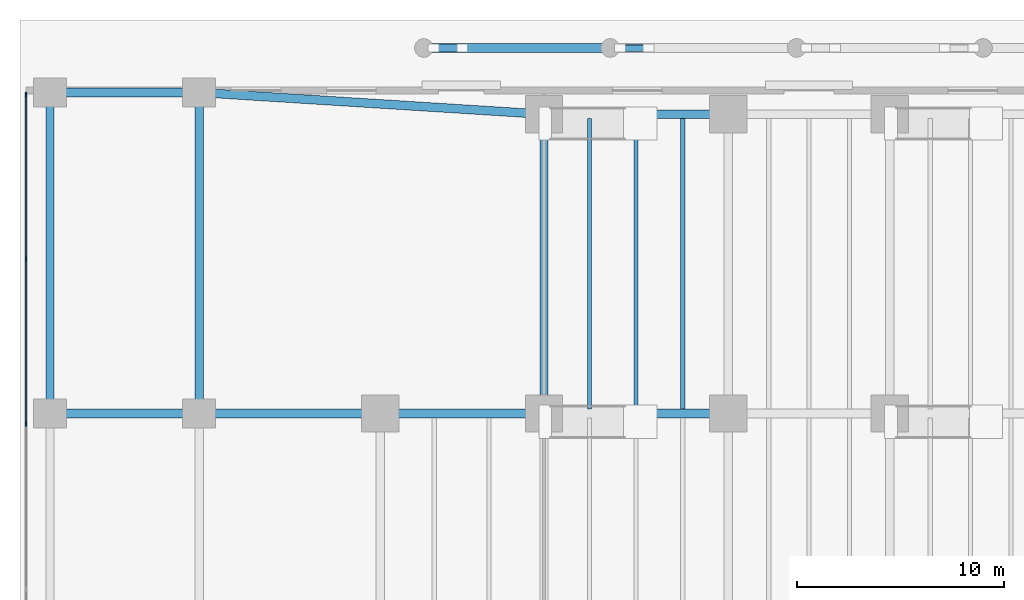
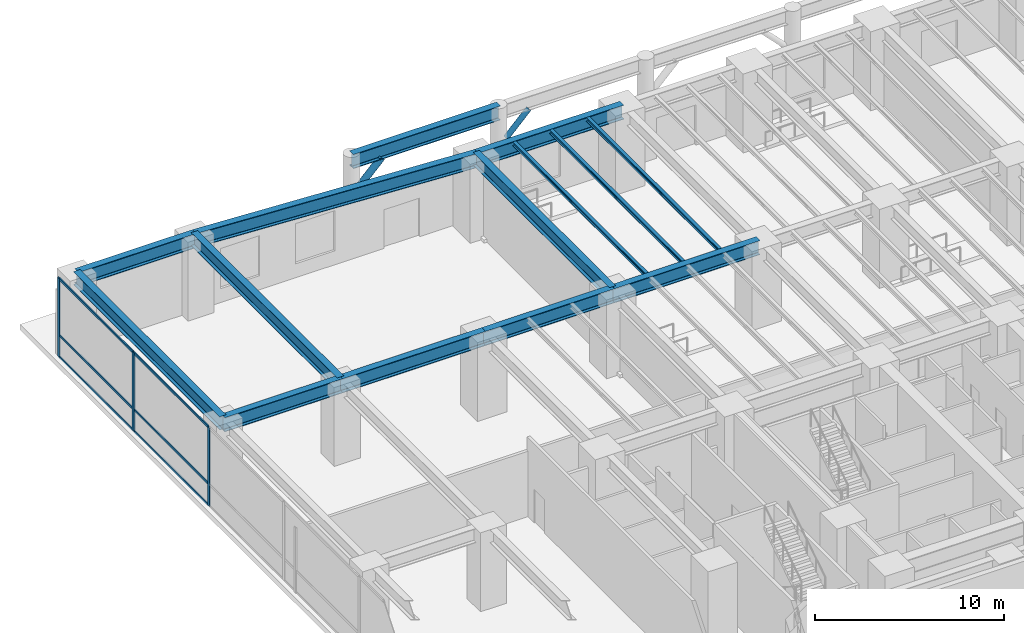
# One storey, part 4 of 19: 14 beams, 11 members, 1 element without a shape of its own.
"""IFC4 building model written with IfcOpenShell, lengths in metres."""

from ifc_helpers import new_model, si_unit, direction, frame, origin, origin_2d, place, context, subcontext, project, spatial, rectangle, hollow_circle, i_section, extrude, material, layer, layer_set, material_profile, profile_set, type_object, element, aggregate, save


model = new_model("IFC4")

# Units and contexts
model_context = context("Model", 3, precision=1e-05, world=origin(), true_north=direction((0.0, 1.0)))
body_context = subcontext(model_context, "Body", "Model", "MODEL_VIEW")
ifc_project = project(units=[si_unit("LENGTHUNIT", "METRE"), si_unit("AREAUNIT", "SQUARE_METRE"), si_unit("VOLUMEUNIT", "CUBIC_METRE"), si_unit("PLANEANGLEUNIT", "RADIAN"), si_unit("MASSUNIT", "GRAM", prefix="KILO")], contexts=[model_context])

# Site, building, storey
site_placement = place(None, origin())
site = spatial("IfcSite", under=ifc_project, at=site_placement, CompositionType="ELEMENT")
building_placement = place(site_placement, origin())
building = spatial("IfcBuilding", under=site, at=building_placement, Name="Qalmaran Belvedere Hotel", CompositionType="ELEMENT")
storey_placement = place(building_placement, origin())
storey = spatial("IfcBuildingStorey", under=building, at=storey_placement, Name="L00", CompositionType="ELEMENT", Elevation=0.0)

# Beams
ifc_material_1 = material(Name="Steel S355JR", Category="steel")
ifc_material_profile_1 = material_profile(ifc_material_1, i_section(OverallWidth=0.201904296875, OverallDepth=0.2470703125, WebThickness=0.00732421875, FlangeThickness=0.010986328125, FilletRadius=0.011962890625, at=origin_2d()), Name="W250X49")
ifc_profile_set_1 = profile_set([ifc_material_profile_1], Name="Steel S355JR")
beam_type_1 = type_object("IfcBeamType", Name="BM-JST-W250X49", PredefinedType="JOIST", material=ifc_profile_set_1)
for number, where, z_axis, x_axis, name in (
    (1, (22.5, 33.2080078125, 4.9765625), (0.0, 1.0, 0.0), (-1.0, 0.0, 0.0), "L00 Podium North-Ballroom Joist 080"),
    (2, (24.75, 33.2080078125, 4.9765625), (0.0, 1.0, 0.0), (-1.0, 0.0, 0.0), "L00 Podium North-Ballroom Joist 082"),
    (3, (27.0, 33.2080078125, 4.9765625), (0.0, 1.0, 0.0), (-1.0, 0.0, 0.0), "L00 Podium North-Ballroom Joist 084"),
):
    element("IfcBeam", number, at=place(storey_placement, frame(where, z_axis=z_axis, x_axis=x_axis)), inside=storey, type_object=beam_type_1, Name=name, PredefinedType="JOIST", context=body_context, shape_type="SweptSolid", body=[
        extrude(i_section(OverallWidth=0.201904296875, OverallDepth=0.2470703125, WebThickness=0.00732421875, FlangeThickness=0.010986328125, FilletRadius=0.011962890625, at=origin_2d()), origin(), (0.0, 0.0, 1.0), 14.033935546875),
    ])
ifc_material_profile_2 = material_profile(ifc_material_1, i_section(OverallWidth=0.419921875, OverallDepth=0.9208984375, WebThickness=0.021240234375, FlangeThickness=0.03662109375, FilletRadius=0.02392578125, at=origin_2d()), Name="W920X387")
ifc_profile_set_2 = profile_set([ifc_material_profile_2], Name="Steel S355JR")
beam_type_2 = type_object("IfcBeamType", Name="BM-PG1-W920X387", PredefinedType="USERDEFINED", material=ifc_profile_set_2)
beam_1_placement = place(storey_placement, frame((-3.550048828125, 33.0, 4.639404296875), z_axis=(1.0, 0.0, 0.0), x_axis=(0.0, 1.0, 0.0)))
element("IfcBeam", 4, at=beam_1_placement, inside=storey, type_object=beam_type_2, Name="L00 Podium Primary Girder GX22", ObjectType="GIRDER", PredefinedType="USERDEFINED", context=body_context, shape_type="SweptSolid", body=[
    extrude(i_section(OverallWidth=0.419921875, OverallDepth=0.9208984375, WebThickness=0.021240234375, FlangeThickness=0.03662109375, FilletRadius=0.02392578125, at=origin_2d()), origin(), (0.0, 0.0, 1.0), 7.199951171875),
])
beam_2_placement = place(storey_placement, frame((3.64990234375, 33.0, 4.639404296875), z_axis=(1.0, 0.0, 0.0), x_axis=(0.0, 1.0, 0.0)))
element("IfcBeam", 5, at=beam_2_placement, inside=storey, type_object=beam_type_2, Name="L00 Podium Primary Girder GX23", ObjectType="GIRDER", PredefinedType="USERDEFINED", context=body_context, shape_type="SweptSolid", body=[
    extrude(i_section(OverallWidth=0.419921875, OverallDepth=0.9208984375, WebThickness=0.021240234375, FlangeThickness=0.03662109375, FilletRadius=0.02392578125, at=origin_2d()), origin(), (0.0, 0.0, 1.0), 8.75),
])
beam_3_placement = place(storey_placement, frame((12.39990234375, 33.0, 4.639404296875), z_axis=(1.0, 0.0, 0.0), x_axis=(0.0, 1.0, 0.0)))
element("IfcBeam", 6, at=beam_3_placement, inside=storey, type_object=beam_type_2, Name="L00 Podium Primary Girder GX24", ObjectType="GIRDER", PredefinedType="USERDEFINED", context=body_context, shape_type="SweptSolid", body=[
    extrude(i_section(OverallWidth=0.419921875, OverallDepth=0.9208984375, WebThickness=0.021240234375, FlangeThickness=0.03662109375, FilletRadius=0.02392578125, at=origin_2d()), origin(), (0.0, 0.0, 1.0), 7.900146484375),
])
beam_4_placement = place(storey_placement, frame((20.300048828125, 33.0, 4.639404296875), z_axis=(1.0, 0.0, 0.0), x_axis=(0.0, 1.0, 0.0)))
element("IfcBeam", 7, at=beam_4_placement, inside=storey, type_object=beam_type_2, Name="L00 Podium Primary Girder GX25", ObjectType="GIRDER", PredefinedType="USERDEFINED", context=body_context, shape_type="SweptSolid", body=[
    extrude(i_section(OverallWidth=0.419921875, OverallDepth=0.9208984375, WebThickness=0.021240234375, FlangeThickness=0.03662109375, FilletRadius=0.02392578125, at=origin_2d()), origin(), (0.0, 0.0, 1.0), 8.89990234375),
])
beam_5_placement = place(storey_placement, frame((-3.550048828125, 48.5, 4.639404296875), z_axis=(1.0, 0.0, 0.0), x_axis=(0.0, 1.0, 0.0)))
element("IfcBeam", 8, at=beam_5_placement, inside=storey, type_object=beam_type_2, Name="L00 Podium Primary Girder GX32", ObjectType="GIRDER", PredefinedType="USERDEFINED", context=body_context, shape_type="SweptSolid", body=[
    extrude(i_section(OverallWidth=0.419921875, OverallDepth=0.9208984375, WebThickness=0.021240234375, FlangeThickness=0.03662109375, FilletRadius=0.02392578125, at=origin_2d()), origin(), (0.0, 0.0, 1.0), 7.199951171875),
])
beam_6_placement = place(storey_placement, frame((3.64990234375, 48.5, 4.639404296875), z_axis=(0.998017287437, -0.0629404002, 0.0), x_axis=(0.0629404002, 0.998017287437, 0.0)))
element("IfcBeam", 9, at=beam_6_placement, inside=storey, type_object=beam_type_2, Name="L00 Podium Primary Girder GX33", ObjectType="GIRDER", PredefinedType="USERDEFINED", context=body_context, shape_type="SweptSolid", body=[
    extrude(i_section(OverallWidth=0.419921875, OverallDepth=0.9208984375, WebThickness=0.021240234375, FlangeThickness=0.03662109375, FilletRadius=0.02392578125, at=origin_2d()), origin(), (0.0, 0.0, 1.0), 16.68310546875),
])
beam_7_placement = place(storey_placement, frame((20.300048828125, 47.449951171875, 4.639404296875), z_axis=(1.0, 0.0, 0.0), x_axis=(0.0, 1.0, 0.0)))
element("IfcBeam", 10, at=beam_7_placement, inside=storey, type_object=beam_type_2, Name="L00 Podium Primary Girder GX34", ObjectType="GIRDER", PredefinedType="USERDEFINED", context=body_context, shape_type="SweptSolid", body=[
    extrude(i_section(OverallWidth=0.419921875, OverallDepth=0.9208984375, WebThickness=0.021240234375, FlangeThickness=0.03662109375, FilletRadius=0.02392578125, at=origin_2d()), origin(), (0.0, 0.0, 1.0), 8.89990234375),
])
beam_8_placement = place(storey_placement, frame((14.5, 50.64990234375, 4.639404296875), z_axis=(1.0, 0.0, 0.0), x_axis=(0.0, 1.0, 0.0)))
element("IfcBeam", 11, at=beam_8_placement, inside=storey, type_object=beam_type_2, Name="L00 Podium Primary Girder GX40", ObjectType="GIRDER", PredefinedType="USERDEFINED", context=body_context, shape_type="SweptSolid", body=[
    extrude(i_section(OverallWidth=0.419921875, OverallDepth=0.9208984375, WebThickness=0.021240234375, FlangeThickness=0.03662109375, FilletRadius=0.02392578125, at=origin_2d()), origin(), (0.0, 0.0, 1.0), 9.0),
])
ifc_material_profile_3 = material_profile(ifc_material_1, i_section(OverallWidth=0.39990234375, OverallDepth=0.85498046875, WebThickness=0.018310546875, FlangeThickness=0.029296875, FilletRadius=0.02392578125, at=origin_2d()), Name="W840X299")
ifc_profile_set_3 = profile_set([ifc_material_profile_3], Name="Steel S355JR")
beam_type_3 = type_object("IfcBeamType", Name="BM-PG3-W840X299", PredefinedType="USERDEFINED", material=ifc_profile_set_3)
for number, where, z_axis, x_axis, name in (
    (12, (-3.550048828125, 33.0, 4.672607421875), (0.0, 1.0, 0.0), (-1.0, 0.0, 0.0), "L00 Podium Transverse Girder GY47"),
    (13, (3.64990234375, 33.0, 4.672607421875), (0.0, 1.0, 0.0), (-1.0, 0.0, 0.0), "L00 Podium Transverse Girder GY50"),
):
    element("IfcBeam", number, at=place(storey_placement, frame(where, z_axis=z_axis, x_axis=x_axis)), inside=storey, type_object=beam_type_3, Name=name, ObjectType="GIRDER", PredefinedType="USERDEFINED", context=body_context, shape_type="SweptSolid", body=[
        extrude(i_section(OverallWidth=0.39990234375, OverallDepth=0.85498046875, WebThickness=0.018310546875, FlangeThickness=0.029296875, FilletRadius=0.02392578125, at=origin_2d()), origin(), (0.0, 0.0, 1.0), 15.5),
    ])
beam_9_placement = place(storey_placement, frame((20.300048828125, 33.0, 4.672607421875), z_axis=(0.0, 1.0, 0.0), x_axis=(-1.0, 0.0, 0.0)))
element("IfcBeam", 14, at=beam_9_placement, inside=storey, type_object=beam_type_3, Name="L00 Podium Transverse Girder GY56", ObjectType="GIRDER", PredefinedType="USERDEFINED", context=body_context, shape_type="SweptSolid", body=[
    extrude(i_section(OverallWidth=0.39990234375, OverallDepth=0.85498046875, WebThickness=0.018310546875, FlangeThickness=0.029296875, FilletRadius=0.02392578125, at=origin_2d()), origin(), (0.0, 0.0, 1.0), 14.449951171875),
])

# Curtain wall, members
ifc_material_2 = material(Name="Anodised Bronze Aluminium", Category="aluminium")
ifc_layer = layer(ifc_material_2, 0.219970703125, Name="Anodised Bronze Aluminium")
ifc_layer_set = layer_set([ifc_layer], Name="Anodised Bronze Aluminium")
curtain_wall_type = type_object("IfcCurtainWallType", Name="CW1-PODIUM-BRONZE", PredefinedType="NOTDEFINED", material=ifc_layer_set)
curtain_wall_placement = place(storey_placement, origin())
curtain_wall = element("IfcCurtainWall", 15, at=curtain_wall_placement, inside=storey, type_object=curtain_wall_type, Name="L00 Curtain Wall CW1", PredefinedType="NOTDEFINED")
ifc_material_profile_4 = material_profile(ifc_material_2, rectangle(XDim=0.074951171875, YDim=0.219970703125, at=origin_2d()), Name="CWM75X220")
ifc_profile_set_4 = profile_set([ifc_material_profile_4], Name="Anodised Bronze Aluminium")
member_type_1 = type_object("IfcMemberType", Name="CWM-75X220", PredefinedType="MULLION", material=ifc_profile_set_4)
member_1_placement = place(storey_placement, frame((-4.699951171875, 48.392578125, 0.0), z_axis=(0.0, 0.0, 1.0), x_axis=(1.0, 0.0, 0.0)))
member_1 = element("IfcMember", 16, at=member_1_placement, type_object=member_type_1, Name="CW1 mullion 1", PredefinedType="MULLION", context=body_context, shape_type="SweptSolid", body=[
    extrude(rectangle(XDim=0.074951171875, YDim=0.219970703125, at=origin_2d()), origin(), (0.0, 0.0, 1.0), 5.10009765625),
])
member_2_placement = place(storey_placement, frame((-4.699951171875, 40.458251953125, 0.0), z_axis=(0.0, 0.0, 1.0), x_axis=(1.0, 0.0, 0.0)))
member_2 = element("IfcMember", 17, at=member_2_placement, type_object=member_type_1, Name="CW1 mullion 2", PredefinedType="MULLION", context=body_context, shape_type="SweptSolid", body=[
    extrude(rectangle(XDim=0.074951171875, YDim=0.219970703125, at=origin_2d()), origin(), (0.0, 0.0, 1.0), 5.10009765625),
])
member_3_placement = place(storey_placement, frame((-4.699951171875, 32.486572265625, 0.0), z_axis=(0.0, 0.0, 1.0), x_axis=(1.0, 0.0, 0.0)))
member_3 = element("IfcMember", 18, at=member_3_placement, type_object=member_type_1, Name="CW1 mullion 3", PredefinedType="MULLION", context=body_context, shape_type="SweptSolid", body=[
    extrude(rectangle(XDim=0.074951171875, YDim=0.219970703125, at=origin_2d()), origin(), (0.0, 0.0, 1.0), 5.10009765625),
])
ifc_material_profile_5 = material_profile(ifc_material_2, rectangle(XDim=0.070068359375, YDim=0.14990234375, at=origin_2d()), Name="CWT70X150")
ifc_profile_set_5 = profile_set([ifc_material_profile_5], Name="Anodised Bronze Aluminium")
member_type_2 = type_object("IfcMemberType", Name="CWT-70X150", PredefinedType="USERDEFINED", material=ifc_profile_set_5)
member_4_placement = place(storey_placement, frame((-4.699951171875, 48.35498046875, 0.034912109375), z_axis=(0.0, -1.0, 0.0), x_axis=(1.0, 0.0, 0.0)))
member_4 = element("IfcMember", 19, at=member_4_placement, type_object=member_type_2, Name="CW1 transom 1.1", ObjectType="TRANSOM", PredefinedType="USERDEFINED", context=body_context, shape_type="SweptSolid", body=[
    extrude(rectangle(XDim=0.070068359375, YDim=0.14990234375, at=origin_2d()), origin(), (0.0, 0.0, 1.0), 7.859130859375),
])
member_5_placement = place(storey_placement, frame((-4.699951171875, 48.35498046875, 1.427978515625), z_axis=(0.0, -1.0, 0.0), x_axis=(1.0, 0.0, 0.0)))
member_5 = element("IfcMember", 20, at=member_5_placement, type_object=member_type_2, Name="CW1 transom 1.2", ObjectType="TRANSOM", PredefinedType="USERDEFINED", context=body_context, shape_type="SweptSolid", body=[
    extrude(rectangle(XDim=0.070068359375, YDim=0.14990234375, at=origin_2d()), origin(), (0.0, 0.0, 1.0), 7.859130859375),
])
member_6_placement = place(storey_placement, frame((-4.699951171875, 48.35498046875, 5.06494140625), z_axis=(0.0, -1.0, 0.0), x_axis=(1.0, 0.0, 0.0)))
member_6 = element("IfcMember", 21, at=member_6_placement, type_object=member_type_2, Name="CW1 transom 1.3", ObjectType="TRANSOM", PredefinedType="USERDEFINED", context=body_context, shape_type="SweptSolid", body=[
    extrude(rectangle(XDim=0.070068359375, YDim=0.14990234375, at=origin_2d()), origin(), (0.0, 0.0, 1.0), 7.859130859375),
])
member_7_placement = place(storey_placement, frame((-4.699951171875, 40.4208984375, 0.034912109375), z_axis=(0.0, -1.0, 0.0), x_axis=(1.0, 0.0, 0.0)))
member_7 = element("IfcMember", 22, at=member_7_placement, type_object=member_type_2, Name="CW1 transom 2.1", ObjectType="TRANSOM", PredefinedType="USERDEFINED", context=body_context, shape_type="SweptSolid", body=[
    extrude(rectangle(XDim=0.070068359375, YDim=0.14990234375, at=origin_2d()), origin(), (0.0, 0.0, 1.0), 7.896728515625),
])
member_8_placement = place(storey_placement, frame((-4.699951171875, 40.4208984375, 1.427978515625), z_axis=(0.0, -1.0, 0.0), x_axis=(1.0, 0.0, 0.0)))
member_8 = element("IfcMember", 23, at=member_8_placement, type_object=member_type_2, Name="CW1 transom 2.2", ObjectType="TRANSOM", PredefinedType="USERDEFINED", context=body_context, shape_type="SweptSolid", body=[
    extrude(rectangle(XDim=0.070068359375, YDim=0.14990234375, at=origin_2d()), origin(), (0.0, 0.0, 1.0), 7.896728515625),
])
member_9_placement = place(storey_placement, frame((-4.699951171875, 40.4208984375, 5.06494140625), z_axis=(0.0, -1.0, 0.0), x_axis=(1.0, 0.0, 0.0)))
member_9 = element("IfcMember", 24, at=member_9_placement, type_object=member_type_2, Name="CW1 transom 2.3", ObjectType="TRANSOM", PredefinedType="USERDEFINED", context=body_context, shape_type="SweptSolid", body=[
    extrude(rectangle(XDim=0.070068359375, YDim=0.14990234375, at=origin_2d()), origin(), (0.0, 0.0, 1.0), 7.896728515625),
])
aggregate(curtain_wall, [member_1, member_2, member_3, member_4, member_5, member_6, member_7, member_8, member_9])

# Members
ifc_material_profile_6 = material_profile(ifc_material_1, hollow_circle(Radius=0.203125, WallThickness=0.01611328125, at=origin_2d()), Name="CHS406X16")
ifc_profile_set_6 = profile_set([ifc_material_profile_6], Name="Steel S355JR")
member_type_3 = type_object("IfcMemberType", Name="MEM-ST1-CHS406", PredefinedType="STRUT", material=ifc_profile_set_6)
member_10_placement = place(storey_placement, frame((14.965087890625, 50.64990234375, 2.75), z_axis=(0.700778748256, 0.0, 0.713378683444), x_axis=(0.0, 1.0, 0.0)))
element("IfcMember", 25, at=member_10_placement, inside=storey, type_object=member_type_3, Name="L00 Porte-Cochere Canopy Raking Strut 01", PredefinedType="STRUT", context=body_context, shape_type="SweptSolid", body=[
    extrude(hollow_circle(Radius=0.203125, WallThickness=0.01611328125, at=origin_2d()), origin(), (0.0, 0.0, 1.0), 1.976318359375),
])
ifc_material_profile_7 = material_profile(ifc_material_1, hollow_circle(Radius=0.161865234375, WallThickness=0.012451171875, at=origin_2d()), Name="CHS323X12")
ifc_profile_set_7 = profile_set([ifc_material_profile_7], Name="Steel S355JR")
member_type_4 = type_object("IfcMemberType", Name="MEM-ST2-CHS323", PredefinedType="STRUT", material=ifc_profile_set_7)
member_11_placement = place(storey_placement, frame((23.965087890625, 50.64990234375, 2.75), z_axis=(0.700778748256, 0.0, 0.713378683444), x_axis=(0.0, 1.0, 0.0)))
element("IfcMember", 26, at=member_11_placement, inside=storey, type_object=member_type_4, Name="L00 Porte-Cochere Canopy Raking Strut 02", PredefinedType="STRUT", context=body_context, shape_type="SweptSolid", body=[
    extrude(hollow_circle(Radius=0.161865234375, WallThickness=0.012451171875, at=origin_2d()), origin(), (0.0, 0.0, 1.0), 1.976318359375),
])

save(model, "model.ifc")
